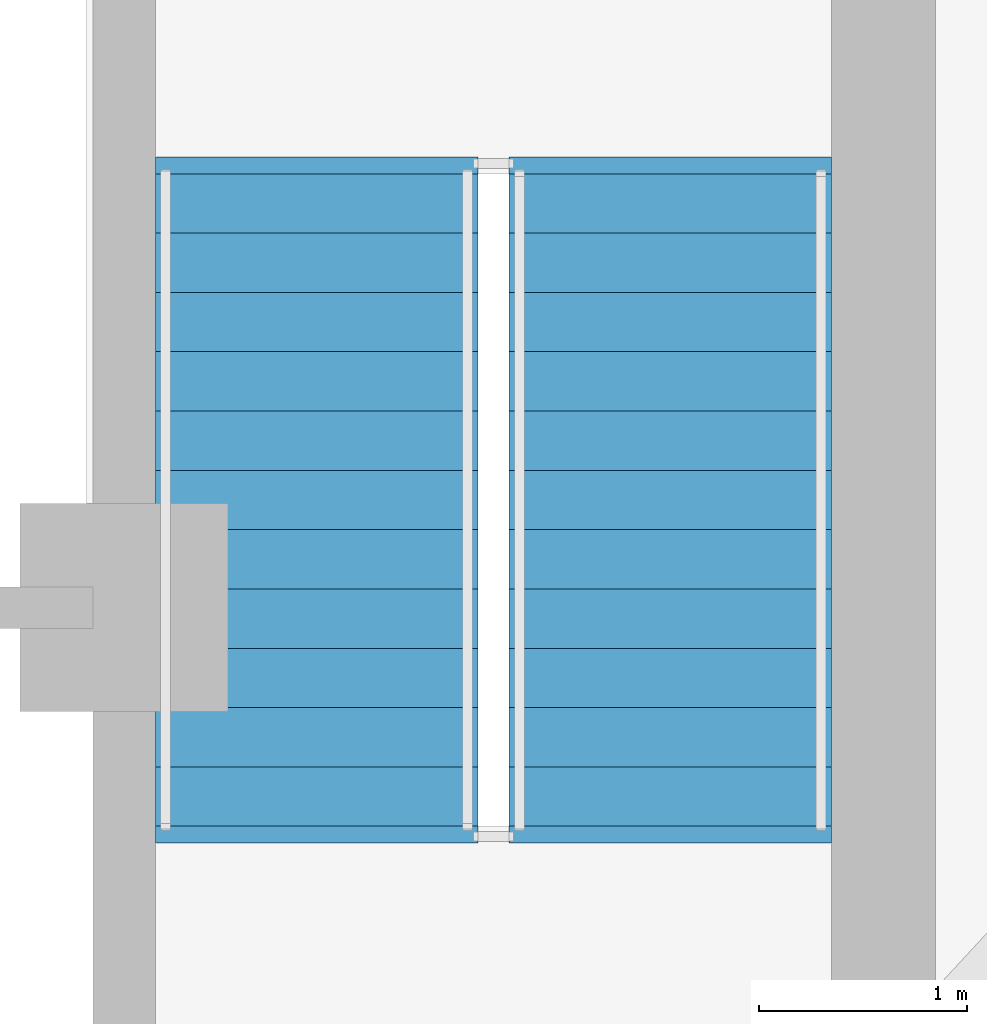
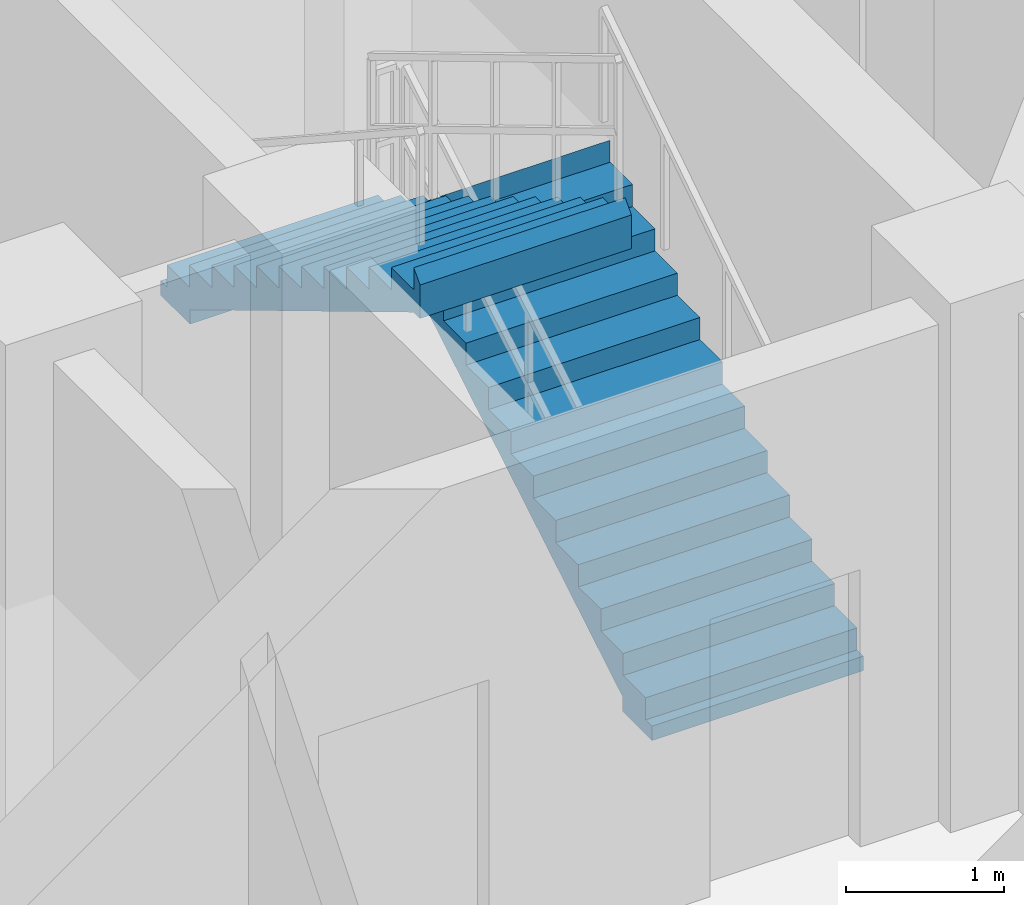
# One storey, part 7 of 9: 2 stair flights, 1 element without a shape of its own.
"""IFC4 building model written with IfcOpenShell, lengths in metres."""

import ifcopenshell
import ifcopenshell.guid

model = None  # the IFC model being written
_history = None  # IfcOwnerHistory: only IFC2X3 demands one
_inside = {}  # id of a spatial element -> (the spatial element, [elements in it])
_under = {}  # id of a project, library or spatial element -> (it, [spatial elements below it])
_declared = {}  # id of a project -> (the project, [libraries it declares])
_typed = {}  # id of a type object -> (the type object, [elements of that type])
_made_of = {}  # id of a material, layer set ... -> (it, [elements and type objects made of it])


def new_model(schema):
    """Start an empty IFC model of exactly this schema.

    Asked for "IFC4X3", IfcOpenShell would pick the latest addendum, in which some entities
    have other attributes; the version numbers below select the first issue.
    IFC2X3 requires an IfcOwnerHistory on every rooted entity: one is made here for all.
    """
    global model, _history
    if schema == "IFC4X3":
        model = ifcopenshell.file(schema_version=(4, 3, 0, 0))
    else:
        model = ifcopenshell.file(schema=schema)
    _inside.clear()
    _under.clear()
    _declared.clear()
    _typed.clear()
    _made_of.clear()
    _history = None
    if model.schema == "IFC2X3":
        org = make("IfcOrganization", Name="unknown")
        user = make(
            "IfcPersonAndOrganization",
            ThePerson=make("IfcPerson", FamilyName="unknown"),
            TheOrganization=org,
        )
        app = make(
            "IfcApplication",
            ApplicationDeveloper=org,
            Version="unknown",
            ApplicationFullName="unknown",
            ApplicationIdentifier="unknown",
        )
        _history = make(
            "IfcOwnerHistory",
            OwningUser=user,
            OwningApplication=app,
            ChangeAction="ADDED",
            CreationDate=0,
        )
    return model


def make(cls, **values):
    """One entity of the class cls with the attributes given. An attribute that is None is left unset."""
    return model.create_entity(
        cls, **{name: value for name, value in values.items() if value is not None}
    )


def rooted(cls, **values):
    """An entity with a GlobalId (a new one), such as an element, a storey or a relation."""
    return make(cls, GlobalId=ifcopenshell.guid.new(), OwnerHistory=_history, **values)


def si_unit(unit_type, name, prefix=None):
    """IfcSIUnit, for example si_unit("LENGTHUNIT", "METRE", prefix="MILLI")."""
    return make("IfcSIUnit", UnitType=unit_type, Prefix=prefix, Name=name)


def assignment(units):
    """IfcUnitAssignment: the units of a project."""
    return None if units is None else make("IfcUnitAssignment", Units=units)


def point(xyz):
    """IfcCartesianPoint."""
    return None if xyz is None else make("IfcCartesianPoint", Coordinates=xyz)


def direction(xyz):
    """IfcDirection."""
    return None if xyz is None else make("IfcDirection", DirectionRatios=xyz)


def frame(location, z_axis=None, x_axis=None):
    """IfcAxis2Placement3D, a coordinate frame: its origin and axes. An axis left out is left unset."""
    return make(
        "IfcAxis2Placement3D",
        Location=point(location),
        Axis=direction(z_axis),
        RefDirection=direction(x_axis),
    )


def origin():
    """The frame at (0, 0, 0) with its axes left unset."""
    return frame((0.0, 0.0, 0.0))


def place(relative_to, where):
    """IfcLocalPlacement: puts the frame where relative to a parent placement (None: the world)."""
    return make(
        "IfcLocalPlacement", PlacementRelTo=relative_to, RelativePlacement=where
    )


def context(
    kind, dimensions, precision=None, world=None, true_north=None, identifier=None
):
    """IfcGeometricRepresentationContext, for example the 3D "Model" context."""
    return make(
        "IfcGeometricRepresentationContext",
        ContextIdentifier=identifier,
        ContextType=kind,
        CoordinateSpaceDimension=dimensions,
        Precision=precision,
        WorldCoordinateSystem=world,
        TrueNorth=true_north,
    )


def subcontext(parent, identifier, kind, view, scale=None):
    """IfcGeometricRepresentationSubContext, for example "Body" below "Model"."""
    return make(
        "IfcGeometricRepresentationSubContext",
        ContextIdentifier=identifier,
        ContextType=kind,
        ParentContext=parent,
        TargetScale=scale,
        TargetView=view,
    )


def project(units=None, contexts=None):
    """IfcProject with its units and contexts."""
    return rooted(
        "IfcProject",
        Name="project",
        RepresentationContexts=contexts,
        UnitsInContext=assignment(units),
    )


def spatial(cls, under=None, at=None, **own):
    """A site, building, storey or space (cls), placed at a placement, below another one or the project."""
    s = rooted(cls, ObjectPlacement=at, **own)
    if under is not None:
        _under.setdefault(under.id(), (under, []))[1].append(s)
    return s


def polyline(points):
    """IfcPolyline through the points."""
    return make("IfcPolyline", Points=[point(p) for p in points])


def outline(outer, holes=None, kind="AREA"):
    """IfcArbitraryClosedProfileDef: a profile drawn as a closed curve; with holes, ...WithVoids."""
    if holes is None:
        return make("IfcArbitraryClosedProfileDef", ProfileType=kind, OuterCurve=outer)
    return make(
        "IfcArbitraryProfileDefWithVoids",
        ProfileType=kind,
        OuterCurve=outer,
        InnerCurves=holes,
    )


def extrude(swept, where, along, depth):
    """IfcExtrudedAreaSolid: the profile swept, set in the frame where, extruded along a direction by depth."""
    return make(
        "IfcExtrudedAreaSolid",
        SweptArea=swept,
        Position=where,
        ExtrudedDirection=direction(along),
        Depth=depth,
    )


def shape(context_of_items, identifier, shape_type, items):
    """IfcShapeRepresentation: the items that make up one representation, for example the "Body"."""
    return make(
        "IfcShapeRepresentation",
        ContextOfItems=context_of_items,
        RepresentationIdentifier=identifier,
        RepresentationType=shape_type,
        Items=items,
    )


def material(Name=None, Category=None):
    """IfcMaterial."""
    return make("IfcMaterial", Name=Name, Category=Category)


def made_of(thing, what):
    """Note that an element or type object is made of a material, layer set ...; save() writes the relation."""
    if what is not None:
        _made_of.setdefault(what.id(), (what, []))[1].append(thing)
    return thing


def type_object(cls, material=None, **own):
    """A type object (cls), such as IfcWallType, which elements share."""
    return made_of(rooted(cls, **own), material)


def element(
    cls,
    number,
    at=None,
    inside=None,
    cuts=None,
    type_object=None,
    material=None,
    context=None,
    identifier="Body",
    shape_type=None,
    held_by="IfcProductDefinitionShape",
    body=None,
    shapes=None,
    **own,
):
    """One element of the class cls, such as IfcWall. Its Tag is "e" and its number.

    at: its placement. inside: the storey or other place that contains it. cuts: it is an
    opening in that element (IfcRelVoidsElement). A single representation is given by context,
    identifier, shape_type and body (its items); several are given by shapes. held_by: the class
    of the entity that holds the representations. save() writes the other relations.
    """
    e = rooted(cls, Tag="e%d" % number, ObjectPlacement=at, **own)
    if body is not None:
        shapes = [shape(context, identifier, shape_type, body)]
    if shapes is not None:
        e.Representation = make(held_by, Representations=shapes)
    if inside is not None:
        _inside.setdefault(inside.id(), (inside, []))[1].append(e)
    if cuts is not None:
        rooted(
            "IfcRelVoidsElement", RelatingBuildingElement=cuts, RelatedOpeningElement=e
        )
    if type_object is not None:
        _typed.setdefault(type_object.id(), (type_object, []))[1].append(e)
    return made_of(e, material)


def aggregate(whole, parts):
    """IfcRelAggregates: a whole, such as a stair, and the parts it consists of."""
    return rooted("IfcRelAggregates", RelatingObject=whole, RelatedObjects=parts)


def save(model, path):
    """Write the relations noted so far, then the file.

    IfcRelAggregates (storeys below a building ...), IfcRelContainedInSpatialStructure (elements
    in a storey), IfcRelDefinesByType, IfcRelAssociatesMaterial and IfcRelDeclares: one each for
    every whole, place, type object, material and project.
    """
    for whole, parts in _under.values():
        aggregate(whole, parts)
    for where, things in _inside.values():
        rooted(
            "IfcRelContainedInSpatialStructure",
            RelatedElements=things,
            RelatingStructure=where,
        )
    for kind, things in _typed.values():
        rooted("IfcRelDefinesByType", RelatedObjects=things, RelatingType=kind)
    for what, things in _made_of.values():
        rooted("IfcRelAssociatesMaterial", RelatedObjects=things, RelatingMaterial=what)
    for by, libraries in _declared.values():
        rooted("IfcRelDeclares", RelatingContext=by, RelatedDefinitions=libraries)
    model.write(path)


model = new_model("IFC4")

# Units and contexts
model_context = context("Model", 3, precision=1e-05, world=origin(), true_north=direction((0.0, 1.0)))
body_context = subcontext(model_context, "Body", "Model", "MODEL_VIEW")
ifc_project = project(units=[si_unit("LENGTHUNIT", "METRE"), si_unit("AREAUNIT", "SQUARE_METRE"), si_unit("VOLUMEUNIT", "CUBIC_METRE"), si_unit("PLANEANGLEUNIT", "RADIAN"), si_unit("MASSUNIT", "GRAM", prefix="KILO")], contexts=[model_context])

# Site, building, storey
site_placement = place(None, origin())
site = spatial("IfcSite", under=ifc_project, at=site_placement, CompositionType="ELEMENT")
building_placement = place(site_placement, origin())
building = spatial("IfcBuilding", under=site, at=building_placement, Name="Apsidion Concourse Tower", CompositionType="ELEMENT")
storey_placement = place(building_placement, frame((0.0, 0.0, 277.800048828125)))
storey = spatial("IfcBuildingStorey", under=building, at=storey_placement, Name="L65", CompositionType="ELEMENT", Elevation=277.800048828125)

# Stair, stair flights
ifc_material = material(Name="Precast concrete C40/50", Category="concrete")
stair_type = type_object("IfcStairType", Name="ST-DL-1550", PredefinedType="HALF_TURN_STAIR", material=ifc_material)
stair_placement = place(storey_placement, origin())
stair = element("IfcStair", 1, at=stair_placement, inside=storey, type_object=stair_type, Name="L65 Protected Core Exit Stair ST2", PredefinedType="HALF_TURN_STAIR")
stair_flight_type = type_object("IfcStairFlightType", Name="SFL-RC-1550", PredefinedType="STRAIGHT", material=ifc_material)
stair_flight_1_placement = place(storey_placement, frame((6.425048828125, 3.0, 0.0), z_axis=(0.0, 0.0, 1.0), x_axis=(0.0, 1.0, 0.0)))
stair_flight_1 = element("IfcStairFlight", 2, at=stair_flight_1_placement, type_object=stair_flight_type, Name="ST2 flight 1", NumberOfRisers=12, NumberOfTreads=11, PredefinedType="STRAIGHT", RiserHeight=0.170833333, TreadLength=0.285, context=body_context, shape_type="SweptSolid", body=[
    extrude(outline(polyline([(-0.080078125, -0.1123046875), (-0.080078125, 0.0), (0.0, 0.0), (0.0, 0.1708984375), (0.284912109375, 0.1708984375), (0.284912109375, 0.341552734375), (0.570068359375, 0.341552734375), (0.570068359375, 0.512451171875), (0.85498046875, 0.512451171875), (0.85498046875, 0.683349609375), (1.139892578125, 0.683349609375), (1.139892578125, 0.854248046875), (1.425048828125, 0.854248046875), (1.425048828125, 1.02490234375), (1.7099609375, 1.02490234375), (1.7099609375, 1.19580078125), (1.9951171875, 1.19580078125), (1.9951171875, 1.36669921875), (2.280029296875, 1.36669921875), (2.280029296875, 1.53759765625), (2.56494140625, 1.53759765625), (2.56494140625, 1.708251953125), (2.85009765625, 1.708251953125), (2.85009765625, 1.879150390625), (3.135009765625, 1.879150390625), (3.135009765625, 2.050048828125), (3.215087890625, 1.964599609375), (3.215087890625, 1.704345703125), (3.135009765625, 1.704345703125), (0.29150390625, 0.0), (0.29150390625, -0.1123046875), (-0.080078125, -0.1123046875)])), frame((0.0, 0.77490234375, 0.0), z_axis=(0.0, -1.0, 0.0), x_axis=(1.0, 0.0, 0.0)), (0.0, 0.0, 1.0), 1.550048828125),
])
stair_flight_2_placement = place(storey_placement, frame((4.72509765625, 6.135009765625, 2.050048828125), z_axis=(0.0, 0.0, 1.0), x_axis=(0.0, -1.0, 0.0)))
stair_flight_2 = element("IfcStairFlight", 3, at=stair_flight_2_placement, type_object=stair_flight_type, Name="ST2 flight 2", NumberOfRisers=12, NumberOfTreads=11, PredefinedType="STRAIGHT", RiserHeight=0.170833333, TreadLength=0.285, context=body_context, shape_type="SweptSolid", body=[
    extrude(outline(polyline([(-0.080078125, -0.1123046875), (-0.080078125, 0.0), (0.0, 0.0), (0.0, 0.1708984375), (0.284912109375, 0.1708984375), (0.284912109375, 0.341552734375), (0.570068359375, 0.341552734375), (0.570068359375, 0.512451171875), (0.85498046875, 0.512451171875), (0.85498046875, 0.683349609375), (1.139892578125, 0.683349609375), (1.139892578125, 0.854248046875), (1.425048828125, 0.854248046875), (1.425048828125, 1.02490234375), (1.7099609375, 1.02490234375), (1.7099609375, 1.19580078125), (1.9951171875, 1.19580078125), (1.9951171875, 1.36669921875), (2.280029296875, 1.36669921875), (2.280029296875, 1.53759765625), (2.56494140625, 1.53759765625), (2.56494140625, 1.708251953125), (2.85009765625, 1.708251953125), (2.85009765625, 1.879150390625), (3.135009765625, 1.879150390625), (3.135009765625, 2.050048828125), (3.215087890625, 1.964599609375), (3.215087890625, 1.704345703125), (3.135009765625, 1.704345703125), (0.29150390625, 0.0), (0.29150390625, -0.1123046875), (-0.080078125, -0.1123046875)])), frame((0.0, 0.77490234375, 0.0), z_axis=(0.0, -1.0, 0.0), x_axis=(1.0, 0.0, 0.0)), (0.0, 0.0, 1.0), 1.550048828125),
])
aggregate(stair, [stair_flight_1, stair_flight_2])

save(model, "model.ifc")
